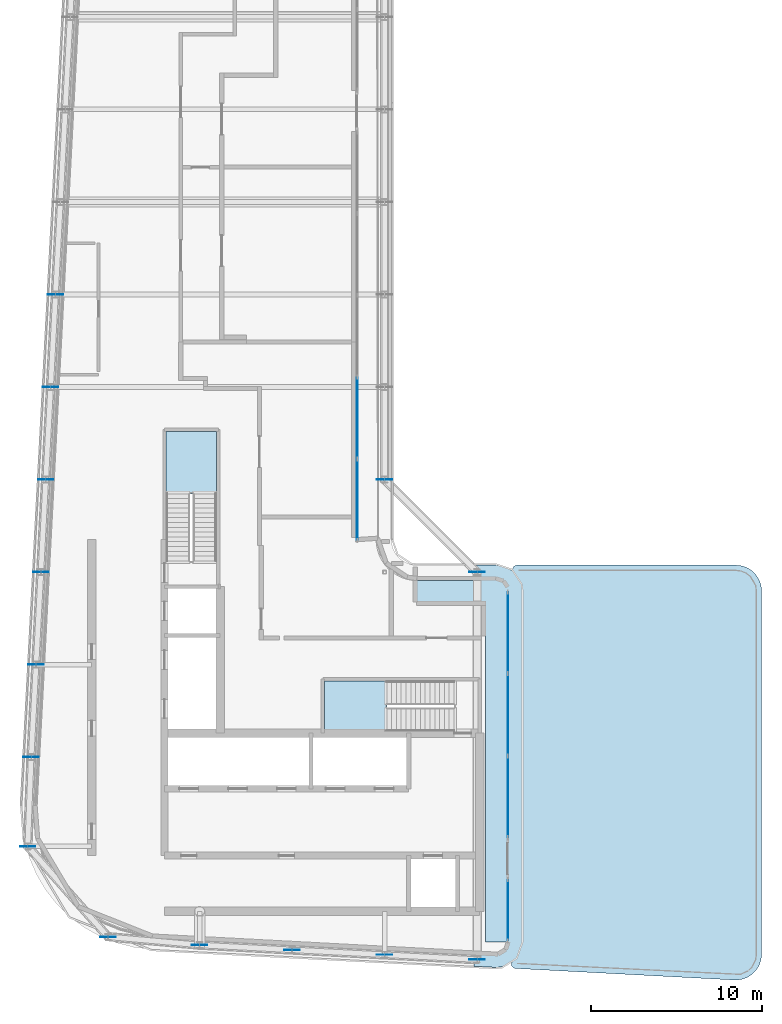
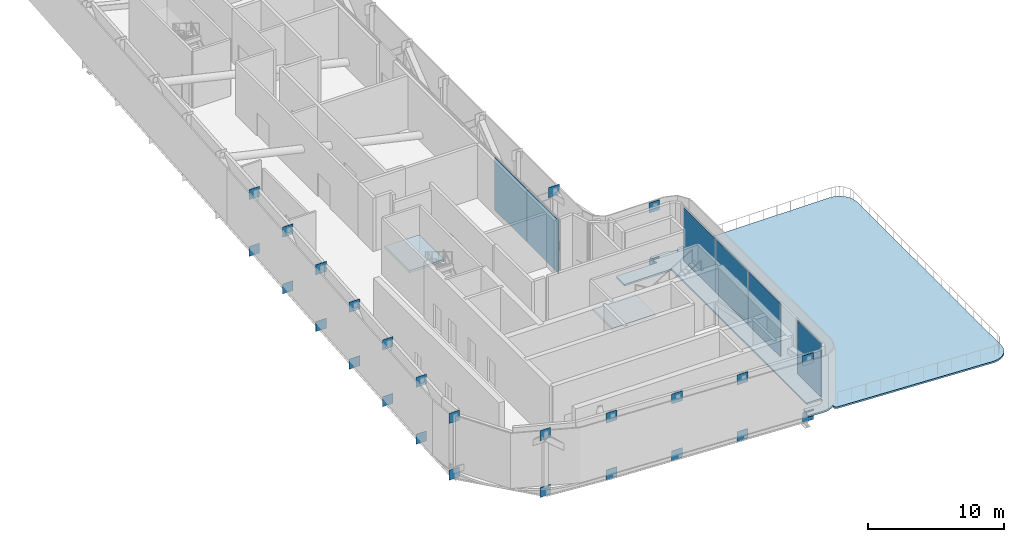
# One storey, part 7 of 18: 34 plates, 3 slabs, 5 elements without a shape of their own.
"""IFC4 building model written with IfcOpenShell, lengths in metres."""

from ifc_helpers import new_model, si_unit, direction, frame, origin, origin_2d, place, context, subcontext, project, spatial, polyline, rectangle, outline, extrude, material, layer, layer_set, type_object, element, aggregate, save


model = new_model("IFC4")

# Units and contexts
model_context = context("Model", 3, precision=1e-05, world=origin(), true_north=direction((0.0, 1.0)))
body_context = subcontext(model_context, "Body", "Model", "MODEL_VIEW")
ifc_project = project(units=[si_unit("LENGTHUNIT", "METRE"), si_unit("AREAUNIT", "SQUARE_METRE"), si_unit("VOLUMEUNIT", "CUBIC_METRE"), si_unit("PLANEANGLEUNIT", "RADIAN"), si_unit("MASSUNIT", "GRAM", prefix="KILO")], contexts=[model_context])

# Site, building, storey
site_placement = place(None, origin())
site = spatial("IfcSite", under=ifc_project, at=site_placement, CompositionType="ELEMENT")
building_placement = place(site_placement, origin())
building = spatial("IfcBuilding", under=site, at=building_placement, Name="Kheshtan School and Residences Tower", CompositionType="ELEMENT")
storey_placement = place(building_placement, frame((0.0, 0.0, 333.199951171875)))
storey = spatial("IfcBuildingStorey", under=building, at=storey_placement, Name="L78", CompositionType="ELEMENT", Elevation=333.199951171875)

# Curtain wall, plates
ifc_material_1 = material(Name="Clear low-e glass in thermally broken aluminium frame", Category="aluminium")
ifc_layer_1 = layer(ifc_material_1, 0.25)
ifc_layer_set_1 = layer_set([ifc_layer_1], Name="Curtain wall CW-G")
curtain_wall_type = type_object("IfcCurtainWallType", Name="Curtain wall CW-G", PredefinedType="NOTDEFINED", material=ifc_layer_set_1)
curtain_wall_1_placement = place(storey_placement, origin())
curtain_wall_1 = element("IfcCurtainWall", 1, at=curtain_wall_1_placement, inside=storey, type_object=curtain_wall_type, Name="Curtain wall CWG3b", PredefinedType="NOTDEFINED")
ifc_layer_2 = layer(ifc_material_1, 0.0380859375)
ifc_layer_set_2 = layer_set([ifc_layer_2], Name="CW-G glass panel")
plate_type_1 = type_object("IfcPlateType", Name="CW-G glass panel", PredefinedType="CURTAIN_PANEL", material=ifc_layer_set_2)
plate_1_placement = place(storey_placement, frame((54.800048828125, 42.054931640625, 0.0), z_axis=(0.0, 0.0, 1.0), x_axis=(0.0, -1.0, 0.0)))
plate_1 = element("IfcPlate", 2, at=plate_1_placement, type_object=plate_type_1, Name="CWG3b panel 1.1", PredefinedType="CURTAIN_PANEL", context=body_context, shape_type="SweptSolid", body=[
    extrude(rectangle(XDim=4.7099609375, YDim=0.0380859375, at=origin_2d()), origin(), (0.0, 0.0, 1.0), 4.7900390625),
])
plate_2_placement = place(storey_placement, frame((54.800048828125, 37.27001953125, 0.0), z_axis=(0.0, 0.0, 1.0), x_axis=(0.0, -1.0, 0.0)))
plate_2 = element("IfcPlate", 3, at=plate_2_placement, type_object=plate_type_1, Name="CWG3b panel 2.1", PredefinedType="CURTAIN_PANEL", context=body_context, shape_type="SweptSolid", body=[
    extrude(rectangle(XDim=4.739990234375, YDim=0.0380859375, at=origin_2d()), origin(), (0.0, 0.0, 1.0), 4.7900390625),
])
plate_3_placement = place(storey_placement, frame((54.800048828125, 32.485107421875, 0.0), z_axis=(0.0, 0.0, 1.0), x_axis=(0.0, -1.0, 0.0)))
plate_3 = element("IfcPlate", 4, at=plate_3_placement, type_object=plate_type_1, Name="CWG3b panel 3.1", PredefinedType="CURTAIN_PANEL", context=body_context, shape_type="SweptSolid", body=[
    extrude(rectangle(XDim=4.7099609375, YDim=0.0380859375, at=origin_2d()), origin(), (0.0, 0.0, 1.0), 4.7900390625),
])
aggregate(curtain_wall_1, [plate_1, plate_2, plate_3])

# Curtain wall, plate
curtain_wall_2_placement = place(storey_placement, origin())
curtain_wall_2 = element("IfcCurtainWall", 5, at=curtain_wall_2_placement, inside=storey, type_object=curtain_wall_type, Name="Curtain wall CWG3c", PredefinedType="NOTDEFINED")
plate_4_placement = place(storey_placement, frame((54.800048828125, 25.862060546875, 0.0), z_axis=(0.0, 0.0, 1.0), x_axis=(0.0, -1.0, 0.0)))
plate_4 = element("IfcPlate", 6, at=plate_4_placement, type_object=plate_type_1, Name="CWG3c panel 1.1", PredefinedType="CURTAIN_PANEL", context=body_context, shape_type="SweptSolid", body=[
    extrude(rectangle(XDim=3.49609375, YDim=0.0380859375, at=origin_2d()), origin(), (0.0, 0.0, 1.0), 4.7900390625),
])
aggregate(curtain_wall_2, [plate_4])

# Curtain wall, plates
curtain_wall_3_placement = place(storey_placement, origin())
curtain_wall_3 = element("IfcCurtainWall", 7, at=curtain_wall_3_placement, inside=storey, type_object=curtain_wall_type, Name="Curtain wall CWG19a", PredefinedType="NOTDEFINED")
ifc_material_2 = material(Name="Insulated terracotta infill panel", Category="masonry")
ifc_layer_3 = layer(ifc_material_2, 0.0380859375)
ifc_layer_set_3 = layer_set([ifc_layer_3], Name="CW-G insulated infill panel")
plate_type_2 = type_object("IfcPlateType", Name="CW-G insulated infill panel", PredefinedType="CURTAIN_PANEL", material=ifc_layer_set_3)
plate_5_placement = place(storey_placement, frame((46.0, 54.591064453125, 0.0), z_axis=(0.0, 0.0, 1.0), x_axis=(0.0, -1.0, 0.0)))
plate_5 = element("IfcPlate", 8, at=plate_5_placement, type_object=plate_type_2, Name="CWG19a infill 4.1", PredefinedType="CURTAIN_PANEL", context=body_context, shape_type="SweptSolid", body=[
    extrude(rectangle(XDim=4.714111328125, YDim=0.0380859375, at=origin_2d()), origin(), (0.0, 0.0, 1.0), 4.7900390625),
])
plate_6_placement = place(storey_placement, frame((46.0, 49.83203125, 0.0), z_axis=(0.0, 0.0, 1.0), x_axis=(0.0, -1.0, 0.0)))
plate_6 = element("IfcPlate", 9, at=plate_6_placement, type_object=plate_type_2, Name="CWG19a infill 5.1", PredefinedType="CURTAIN_PANEL", context=body_context, shape_type="SweptSolid", body=[
    extrude(rectangle(XDim=4.68408203125, YDim=0.0380859375, at=origin_2d()), origin(), (0.0, 0.0, 1.0), 4.7900390625),
])
aggregate(curtain_wall_3, [plate_5, plate_6])

# Plates
ifc_material_3 = material(Name="Steel ASTM A992 Grade 50", Category="steel")
ifc_layer_4 = layer(ifc_material_3, 0.02490234375)
ifc_layer_set_4 = layer_set([ifc_layer_4], Name="Gusset plate 25 Steel ASTM A992 Grade 50")
plate_type_3 = type_object("IfcPlateType", Name="Gusset plate 25 Steel ASTM A992 Grade 50", PredefinedType="SHEET", material=ifc_layer_set_4)
for number, where, z_axis, x_axis, name in (
    (10, (47.60009765625, 51.0, 4.300048828125), (0.0, 0.0, 1.0), (1.0, 0.0, 0.0), "Gusset plate 14"),
    (11, (47.60009765625, 51.0, -0.7998046875), (0.0, 0.0, 1.0), (1.0, 0.0, 0.0), "Gusset plate 15"),
    (12, (53.0, 45.60009765625, 4.300048828125), (0.0, 0.0, 1.0), (1.0, 0.0, 0.0), "Gusset plate 16"),
    (13, (53.0, 45.60009765625, -0.7998046875), (0.0, 0.0, 1.0), (1.0, 0.0, 0.0), "Gusset plate 17"),
    (14, (53.0, 22.97998046875, 4.300048828125), (0.0, 0.0, 1.0), (1.0, 0.0, 0.0), "Gusset plate 18"),
    (15, (53.0, 22.97998046875, -0.7998046875), (0.0, 0.0, 1.0), (1.0, 0.0, 0.0), "Gusset plate 19"),
    (16, (47.60009765625, 23.263916015625, 4.300048828125), (0.0, 0.0, 1.0), (1.0, 0.0, 0.0), "Gusset plate 20"),
    (17, (47.60009765625, 23.263916015625, -0.7998046875), (0.0, 0.0, 1.0), (1.0, 0.0, 0.0), "Gusset plate 21"),
    (18, (42.199951171875, 23.548095703125, 4.300048828125), (0.0, 0.0, 1.0), (1.0, 0.0, 0.0), "Gusset plate 22"),
    (19, (42.199951171875, 23.548095703125, -0.7998046875), (0.0, 0.0, 1.0), (1.0, 0.0, 0.0), "Gusset plate 23"),
    (20, (36.800048828125, 23.83203125, 4.300048828125), (0.0, 0.0, 1.0), (1.0, 0.0, 0.0), "Gusset plate 24"),
    (21, (36.800048828125, 23.83203125, -0.7998046875), (0.0, 0.0, 1.0), (1.0, 0.0, 0.0), "Gusset plate 25"),
    (22, (31.447021484375, 24.31005859375, 4.300048828125), (0.0, 0.0, 1.0), (1.0, 0.0, 0.0), "Gusset plate 26"),
    (23, (31.447021484375, 24.31005859375, -0.7998046875), (0.0, 0.0, 1.0), (1.0, 0.0, 0.0), "Gusset plate 27"),
    (24, (26.76708984375, 29.58203125, 4.300048828125), (0.0, 0.0, 1.0), (1.0, 0.0, 0.0), "Gusset plate 28"),
    (25, (26.76708984375, 29.58203125, -0.7998046875), (0.0, 0.0, 1.0), (1.0, 0.0, 0.0), "Gusset plate 29"),
    (26, (26.968994140625, 34.800048828125, 4.300048828125), (0.0, 0.0, 1.0), (1.0, 0.0, 0.0), "Gusset plate 30"),
    (27, (26.968994140625, 34.800048828125, -0.7998046875), (0.0, 0.0, 1.0), (1.0, 0.0, 0.0), "Gusset plate 31"),
    (28, (27.2529296875, 40.199951171875, 4.300048828125), (0.0, 0.0, 1.0), (1.0, 0.0, 0.0), "Gusset plate 32"),
    (29, (27.2529296875, 40.199951171875, -0.7998046875), (0.0, 0.0, 1.0), (1.0, 0.0, 0.0), "Gusset plate 33"),
    (30, (27.537109375, 45.60009765625, 4.300048828125), (0.0, 0.0, 1.0), (1.0, 0.0, 0.0), "Gusset plate 34"),
    (31, (27.537109375, 45.60009765625, -0.7998046875), (0.0, 0.0, 1.0), (1.0, 0.0, 0.0), "Gusset plate 35"),
    (32, (27.822021484375, 51.0, 4.300048828125), (0.0, 0.0, 1.0), (1.0, 0.0, 0.0), "Gusset plate 36"),
    (33, (27.822021484375, 51.0, -0.7998046875), (0.0, 0.0, 1.0), (1.0, 0.0, 0.0), "Gusset plate 37"),
    (34, (28.10595703125, 56.39990234375, 4.300048828125), (0.0, 0.0, 1.0), (1.0, 0.0, 0.0), "Gusset plate 38"),
    (35, (28.10595703125, 56.39990234375, -0.7998046875), (0.0, 0.0, 1.0), (1.0, 0.0, 0.0), "Gusset plate 39"),
    (36, (28.389892578125, 61.800048828125, 4.300048828125), (0.0, 0.0, 1.0), (1.0, 0.0, 0.0), "Gusset plate 40"),
    (37, (28.389892578125, 61.800048828125, -0.7998046875), (0.0, 0.0, 1.0), (1.0, 0.0, 0.0), "Gusset plate 41"),
):
    element("IfcPlate", number, at=place(storey_placement, frame(where, z_axis=z_axis, x_axis=x_axis)), inside=storey, type_object=plate_type_3, Name=name, PredefinedType="SHEET", context=body_context, shape_type="SweptSolid", body=[
        extrude(rectangle(XDim=0.89990234375, YDim=0.02490234375, at=origin_2d()), origin(), (0.0, 0.0, 1.0), 0.89990234375),
    ])

# Stair, slab
ifc_material_4 = material(Name="Concrete C40/50", Category="concrete")
stair_type = type_object("IfcStairType", Name="Exit stair, half-turn", PredefinedType="HALF_TURN_STAIR", material=ifc_material_4)
stair_1_placement = place(storey_placement, origin())
stair_1 = element("IfcStair", 38, at=stair_1_placement, inside=storey, type_object=stair_type, Name="L78 Protected Exit Stair ST1", PredefinedType="HALF_TURN_STAIR")
ifc_layer_5 = layer(ifc_material_4, 0.199951171875)
ifc_layer_set_5 = layer_set([ifc_layer_5], Name="Stair landing 200 Concrete C40/50")
slab_type_1 = type_object("IfcSlabType", Name="Stair landing 200 Concrete C40/50", PredefinedType="LANDING", material=ifc_layer_set_5)
slab_1_placement = place(storey_placement, frame((0.0, 0.0, 2.35009765625)))
slab_1 = element("IfcSlab", 39, at=slab_1_placement, type_object=slab_type_1, Name="ST1 landing 1", PredefinedType="LANDING", context=body_context, shape_type="SweptSolid", body=[
    extrude(outline(polyline([(47.72998046875, 39.25), (44.090087890625, 39.25), (44.090087890625, 36.300048828125), (47.72998046875, 36.300048828125), (47.72998046875, 39.25)])), origin(), (0.0, 0.0, 1.0), 0.199951171875),
])
aggregate(stair_1, [slab_1])

stair_2_placement = place(storey_placement, origin())
stair_2 = element("IfcStair", 40, at=stair_2_placement, inside=storey, type_object=stair_type, Name="L78 Protected Exit Stair ST2", PredefinedType="HALF_TURN_STAIR")
slab_2_placement = place(storey_placement, frame((0.0, 0.0, 2.35009765625)))
slab_2 = element("IfcSlab", 41, at=slab_2_placement, type_object=slab_type_1, Name="ST2 landing 1", PredefinedType="LANDING", context=body_context, shape_type="SweptSolid", body=[
    extrude(outline(polyline([(37.800048828125, 50.169921875), (37.800048828125, 53.81005859375), (34.85009765625, 53.81005859375), (34.85009765625, 50.169921875), (37.800048828125, 50.169921875)])), origin(), (0.0, 0.0, 1.0), 0.199951171875),
])
aggregate(stair_2, [slab_2])

# Slab
ifc_layer_6 = layer(ifc_material_4, 0.14990234375)
ifc_layer_set_6 = layer_set([ifc_layer_6], Name="Terrace slab 150 Concrete C40/50")
slab_type_2 = type_object("IfcSlabType", Name="Terrace slab 150 Concrete C40/50", PredefinedType="FLOOR", material=ifc_layer_set_6)
slab_3_placement = place(storey_placement, frame((0.0, 0.0, -0.14990234375)))
element("IfcSlab", 42, at=slab_3_placement, inside=storey, type_object=slab_type_2, Name="Terrace slab L78", PredefinedType="FLOOR", context=body_context, shape_type="SweptSolid", body=[
    extrude(outline(polyline([(49.47998046875, 43.923095703125), (49.47998046875, 45.076904296875), (49.47998046875, 45.077880859375), (49.48095703125, 45.077880859375), (49.48095703125, 45.0791015625), (49.48095703125, 45.08203125), (49.48095703125, 45.0830078125), (49.48193359375, 45.0830078125), (49.48193359375, 45.083984375), (49.48193359375, 45.0859375), (49.48193359375, 45.0869140625), (49.48291015625, 45.0869140625), (49.48291015625, 45.087890625), (49.48291015625, 45.089111328125), (49.48291015625, 45.090087890625), (49.48388671875, 45.090087890625), (49.48388671875, 45.091064453125), (49.485107421875, 45.091064453125), (49.485107421875, 45.092041015625), (49.486083984375, 45.092041015625), (49.486083984375, 45.093017578125), (49.486083984375, 45.093994140625), (49.487060546875, 45.093994140625), (49.487060546875, 45.094970703125), (49.487060546875, 45.095947265625), (49.488037109375, 45.095947265625), (49.488037109375, 45.096923828125), (49.488037109375, 45.097900390625), (49.501953125, 45.112060546875), (49.5029296875, 45.112060546875), (49.50390625, 45.112060546875), (49.50390625, 45.113037109375), (49.5048828125, 45.113037109375), (49.506103515625, 45.113037109375), (49.506103515625, 45.114013671875), (49.507080078125, 45.114013671875), (49.508056640625, 45.114013671875), (49.508056640625, 45.114990234375), (49.509033203125, 45.114990234375), (49.509033203125, 45.115966796875), (49.510009765625, 45.115966796875), (49.510986328125, 45.115966796875), (49.510986328125, 45.116943359375), (49.511962890625, 45.116943359375), (49.512939453125, 45.116943359375), (49.512939453125, 45.117919921875), (49.513916015625, 45.117919921875), (49.51611328125, 45.117919921875), (49.51708984375, 45.117919921875), (49.51708984375, 45.118896484375), (49.51806640625, 45.118896484375), (49.52099609375, 45.118896484375), (49.52197265625, 45.118896484375), (49.52197265625, 45.1201171875), (49.52294921875, 45.1201171875), (52.955078125, 45.1201171875), (52.9560546875, 45.1201171875), (52.9560546875, 45.12109375), (52.95703125, 45.12109375), (52.95703125, 45.1220703125), (52.95703125, 45.1240234375), (52.95703125, 45.125), (52.950927734375, 45.138916015625), (52.950927734375, 45.14306640625), (52.945068359375, 45.1669921875), (52.908935546875, 45.339111328125), (52.905029296875, 45.363037109375), (52.876953125, 45.636962890625), (52.8759765625, 45.662109375), (52.8759765625, 45.837890625), (52.876953125, 45.863037109375), (52.89111328125, 45.9990234375), (52.89111328125, 46.0), (52.89208984375, 46.0), (54.10009765625, 46.0), (54.2958984375, 45.987060546875), (54.488037109375, 45.948974609375), (54.491943359375, 45.948974609375), (54.674072265625, 45.885986328125), (54.843994140625, 45.801025390625), (54.844970703125, 45.801025390625), (54.845947265625, 45.801025390625), (54.846923828125, 45.801025390625), (54.846923828125, 45.802001953125), (54.847900390625, 45.802001953125), (54.847900390625, 45.802978515625), (54.84912109375, 45.802978515625), (54.85107421875, 45.802978515625), (54.85205078125, 45.802978515625), (54.85205078125, 45.802001953125), (54.85302734375, 45.802001953125), (54.85400390625, 45.802001953125), (54.85498046875, 45.802001953125), (54.85498046875, 45.801025390625), (54.85595703125, 45.801025390625), (54.85595703125, 45.800048828125), (54.85693359375, 45.800048828125), (54.85693359375, 45.799072265625), (55.012939453125, 45.695068359375), (55.013916015625, 45.695068359375), (55.013916015625, 45.694091796875), (55.014892578125, 45.694091796875), (55.014892578125, 45.693115234375), (55.014892578125, 45.68896484375), (55.014892578125, 45.68798828125), (55.01611328125, 45.68798828125), (55.01611328125, 45.68701171875), (55.01708984375, 45.68701171875), (55.01708984375, 45.68603515625), (55.123046875, 45.593017578125), (55.1240234375, 45.593017578125), (55.125, 45.593017578125), (55.1259765625, 45.593017578125), (55.1259765625, 45.593994140625), (55.126953125, 45.593994140625), (55.126953125, 45.594970703125), (55.126953125, 45.595947265625), (55.126953125, 45.596923828125), (55.115966796875, 45.611083984375), (55.10400390625, 45.632080078125), (55.093017578125, 45.654052734375), (55.0849609375, 45.673095703125), (55.0849609375, 45.677001953125), (55.0791015625, 45.700927734375), (55.074951171875, 45.72509765625), (55.073974609375, 45.75), (55.074951171875, 45.77490234375), (55.0791015625, 45.799072265625), (55.0849609375, 45.822998046875), (55.0849609375, 45.826904296875), (55.093017578125, 45.845947265625), (55.10400390625, 45.867919921875), (55.115966796875, 45.888916015625), (55.126953125, 45.905029296875), (55.1279296875, 45.905029296875), (55.1279296875, 45.906005859375), (55.12890625, 45.906005859375), (55.12890625, 45.906982421875), (55.1298828125, 45.906982421875), (55.1298828125, 45.907958984375), (55.131103515625, 45.907958984375), (55.131103515625, 45.908935546875), (55.131103515625, 45.909912109375), (55.131103515625, 45.910888671875), (55.1630859375, 45.943115234375), (55.1640625, 45.943115234375), (55.1650390625, 45.943115234375), (55.166015625, 45.943115234375), (55.166015625, 45.944091796875), (55.1669921875, 45.944091796875), (55.1669921875, 45.945068359375), (55.16796875, 45.945068359375), (55.16796875, 45.946044921875), (55.1689453125, 45.946044921875), (55.1689453125, 45.947021484375), (55.18505859375, 45.9580078125), (55.2060546875, 45.969970703125), (55.22802734375, 45.98095703125), (55.2470703125, 45.989013671875), (55.2509765625, 45.989013671875), (55.27490234375, 45.9951171875), (55.299072265625, 45.9990234375), (55.323974609375, 46.0), (68.092041015625, 46.0), (68.10791015625, 45.9990234375), (68.279052734375, 45.988037109375), (68.31201171875, 45.98388671875), (68.471923828125, 45.951904296875), (68.5029296875, 45.944091796875), (68.507080078125, 45.944091796875), (68.657958984375, 45.89208984375), (68.68896484375, 45.87890625), (68.8359375, 45.805908203125), (68.864013671875, 45.7900390625), (69.0, 45.698974609375), (69.02490234375, 45.679931640625), (69.14404296875, 45.576904296875), (69.14404296875, 45.575927734375), (69.14501953125, 45.575927734375), (69.14501953125, 45.574951171875), (69.14599609375, 45.574951171875), (69.14599609375, 45.573974609375), (69.14697265625, 45.573974609375), (69.14697265625, 45.572998046875), (69.14794921875, 45.572998046875), (69.14892578125, 45.572998046875), (69.14990234375, 45.572998046875), (69.15087890625, 45.572998046875), (69.173095703125, 45.551025390625), (69.173095703125, 45.550048828125), (69.173095703125, 45.549072265625), (69.173095703125, 45.548095703125), (69.173095703125, 45.547119140625), (69.174072265625, 45.547119140625), (69.174072265625, 45.5458984375), (69.175048828125, 45.5458984375), (69.175048828125, 45.544921875), (69.176025390625, 45.544921875), (69.176025390625, 45.5439453125), (69.177001953125, 45.5439453125), (69.280029296875, 45.425048828125), (69.299072265625, 45.39990234375), (69.389892578125, 45.263916015625), (69.406005859375, 45.236083984375), (69.47900390625, 45.089111328125), (69.491943359375, 45.05810546875), (69.5439453125, 44.906982421875), (69.5439453125, 44.903076171875), (69.552001953125, 44.8720703125), (69.583984375, 44.7119140625), (69.587890625, 44.678955078125), (69.59912109375, 44.508056640625), (69.60009765625, 44.491943359375), (69.60009765625, 23.294921875), (69.59912109375, 23.278076171875), (69.5869140625, 23.10107421875), (69.5830078125, 23.068115234375), (69.549072265625, 22.902099609375), (69.549072265625, 22.89794921875), (69.5400390625, 22.868896484375), (69.48388671875, 22.7099609375), (69.469970703125, 22.678955078125), (69.39306640625, 22.529052734375), (69.376953125, 22.5009765625), (69.281005859375, 22.362060546875), (69.261962890625, 22.337890625), (69.260986328125, 22.337890625), (69.260986328125, 22.3369140625), (69.260009765625, 22.3369140625), (69.260009765625, 22.3359375), (69.259033203125, 22.3359375), (69.259033203125, 22.3349609375), (69.258056640625, 22.3349609375), (69.258056640625, 22.333984375), (69.258056640625, 22.3330078125), (69.258056640625, 22.33203125), (69.258056640625, 22.3310546875), (69.14306640625, 22.2099609375), (69.12109375, 22.18798828125), (69.1201171875, 22.18798828125), (69.118896484375, 22.18798828125), (69.118896484375, 22.18701171875), (69.117919921875, 22.18701171875), (69.117919921875, 22.18603515625), (69.116943359375, 22.18603515625), (69.116943359375, 22.18505859375), (69.115966796875, 22.18505859375), (69.115966796875, 22.18408203125), (68.989990234375, 22.080078125), (68.9609375, 22.05908203125), (68.81689453125, 21.969970703125), (68.7880859375, 21.955078125), (68.634033203125, 21.885986328125), (68.60205078125, 21.8740234375), (68.444091796875, 21.826904296875), (68.43994140625, 21.826904296875), (68.407958984375, 21.820068359375), (68.240966796875, 21.7939453125), (68.20703125, 21.791015625), (68.030029296875, 21.7880859375), (68.012939453125, 21.7880859375), (55.239990234375, 22.4609375), (55.215087890625, 22.464111328125), (55.18994140625, 22.468994140625), (55.18603515625, 22.468994140625), (55.1669921875, 22.47607421875), (55.14306640625, 22.486083984375), (55.1220703125, 22.498046875), (55.10107421875, 22.512939453125), (55.0859375, 22.52490234375), (55.0859375, 22.52587890625), (55.0849609375, 22.52587890625), (55.0849609375, 22.527099609375), (55.083984375, 22.527099609375), (55.083984375, 22.528076171875), (55.0830078125, 22.528076171875), (55.0830078125, 22.529052734375), (55.0830078125, 22.530029296875), (55.08203125, 22.530029296875), (55.06494140625, 22.547119140625), (55.06494140625, 22.548095703125), (55.06396484375, 22.548095703125), (55.06298828125, 22.548095703125), (55.06298828125, 22.549072265625), (55.06201171875, 22.549072265625), (55.06201171875, 22.550048828125), (55.06103515625, 22.550048828125), (55.06103515625, 22.551025390625), (55.06005859375, 22.551025390625), (55.049072265625, 22.56591796875), (55.035888671875, 22.587890625), (55.02392578125, 22.610107421875), (55.014892578125, 22.62890625), (55.014892578125, 22.633056640625), (55.009033203125, 22.657958984375), (55.0048828125, 22.681884765625), (55.0029296875, 22.70703125), (55.00390625, 22.73193359375), (55.007080078125, 22.757080078125), (55.012939453125, 22.781005859375), (55.012939453125, 22.784912109375), (55.02099609375, 22.804931640625), (55.031982421875, 22.827880859375), (55.044921875, 22.84912109375), (55.06005859375, 22.868896484375), (55.06005859375, 22.8701171875), (55.06005859375, 22.87109375), (55.05908203125, 22.87109375), (55.05908203125, 22.8720703125), (55.05810546875, 22.8720703125), (55.056884765625, 22.8720703125), (54.97607421875, 22.805908203125), (54.803955078125, 22.698974609375), (54.618896484375, 22.615966796875), (54.427978515625, 22.55908203125), (54.424072265625, 22.55908203125), (54.22412109375, 22.528076171875), (54.02099609375, 22.52490234375), (52.81005859375, 22.589111328125), (52.80908203125, 22.589111328125), (52.80908203125, 22.590087890625), (52.804931640625, 22.794921875), (52.805908203125, 22.820068359375), (52.820068359375, 22.993896484375), (52.822998046875, 23.01904296875), (52.873046875, 23.291015625), (52.87890625, 23.31494140625), (52.87890625, 23.319091796875), (52.926025390625, 23.47705078125), (52.927978515625, 23.47998046875), (52.927978515625, 23.48095703125), (52.927978515625, 23.48193359375), (52.927978515625, 23.48291015625), (52.928955078125, 23.48291015625), (54.0380859375, 23.425048828125), (54.14794921875, 23.427001953125), (54.22802734375, 23.43896484375), (54.23095703125, 23.43896484375), (54.23193359375, 23.43896484375), (54.306884765625, 23.4619140625), (54.381103515625, 23.4951171875), (54.448974609375, 23.5380859375), (54.509033203125, 23.5859375), (54.509033203125, 23.5869140625), (54.510009765625, 23.5869140625), (54.510009765625, 23.587890625), (54.510986328125, 23.587890625), (54.510986328125, 23.589111328125), (54.511962890625, 23.589111328125), (54.511962890625, 23.590087890625), (54.511962890625, 23.591064453125), (54.511962890625, 23.592041015625), (54.511962890625, 23.593017578125), (54.56689453125, 23.64990234375), (54.568115234375, 23.64990234375), (54.568115234375, 23.65087890625), (54.569091796875, 23.65087890625), (54.569091796875, 23.652099609375), (54.570068359375, 23.652099609375), (54.570068359375, 23.653076171875), (54.571044921875, 23.653076171875), (54.612060546875, 23.712890625), (54.64892578125, 23.784912109375), (54.676025390625, 23.860107421875), (54.676025390625, 23.861083984375), (54.676025390625, 23.864013671875), (54.69189453125, 23.943115234375), (54.697021484375, 24.007080078125), (54.697021484375, 24.008056640625), (54.696044921875, 24.008056640625), (54.696044921875, 24.009033203125), (54.695068359375, 24.009033203125), (54.693115234375, 24.009033203125), (54.69189453125, 24.009033203125), (54.69189453125, 24.008056640625), (54.69091796875, 24.008056640625), (54.69091796875, 24.007080078125), (54.68994140625, 24.007080078125), (54.68896484375, 24.007080078125), (54.68896484375, 24.006103515625), (54.68798828125, 24.006103515625), (54.68701171875, 24.006103515625), (54.68701171875, 24.0048828125), (54.68603515625, 24.0048828125), (54.68408203125, 24.0048828125), (54.68310546875, 24.0048828125), (54.68310546875, 24.00390625), (54.681884765625, 24.00390625), (54.678955078125, 24.00390625), (54.677978515625, 24.00390625), (54.677978515625, 24.0029296875), (54.677001953125, 24.0029296875), (53.52294921875, 24.0029296875), (53.52197265625, 24.0029296875), (53.52197265625, 24.00390625), (53.52099609375, 24.00390625), (53.51806640625, 24.00390625), (53.51708984375, 24.00390625), (53.51708984375, 24.0048828125), (53.51611328125, 24.0048828125), (53.510986328125, 24.0048828125), (53.510986328125, 24.006103515625), (53.510009765625, 24.006103515625), (53.510009765625, 24.007080078125), (53.509033203125, 24.007080078125), (53.509033203125, 24.008056640625), (53.508056640625, 24.008056640625), (53.508056640625, 24.009033203125), (53.507080078125, 24.009033203125), (53.506103515625, 24.009033203125), (53.506103515625, 24.010009765625), (53.5048828125, 24.010009765625), (53.50390625, 24.010009765625), (53.50390625, 24.010986328125), (53.5029296875, 24.010986328125), (53.501953125, 24.010986328125), (53.4990234375, 24.013916015625), (53.4970703125, 24.01611328125), (53.492919921875, 24.02001953125), (53.490966796875, 24.02197265625), (53.489990234375, 24.02294921875), (53.488037109375, 24.02490234375), (53.488037109375, 24.02587890625), (53.488037109375, 24.027099609375), (53.487060546875, 24.027099609375), (53.487060546875, 24.028076171875), (53.487060546875, 24.029052734375), (53.486083984375, 24.029052734375), (53.486083984375, 24.030029296875), (53.486083984375, 24.031005859375), (53.485107421875, 24.031005859375), (53.485107421875, 24.031982421875), (53.48388671875, 24.031982421875), (53.48388671875, 24.032958984375), (53.48291015625, 24.032958984375), (53.48291015625, 24.033935546875), (53.48291015625, 24.034912109375), (53.48291015625, 24.035888671875), (53.48193359375, 24.035888671875), (53.48193359375, 24.037109375), (53.48193359375, 24.0390625), (53.48193359375, 24.0400390625), (53.48095703125, 24.0400390625), (53.48095703125, 24.041015625), (53.48095703125, 24.0439453125), (53.48095703125, 24.044921875), (53.47998046875, 24.044921875), (53.47998046875, 24.0458984375), (53.47998046875, 43.85498046875), (53.47998046875, 43.85595703125), (53.47900390625, 43.85595703125), (53.47900390625, 43.85693359375), (53.47900390625, 43.85791015625), (53.47900390625, 43.85888671875), (53.47802734375, 43.85888671875), (53.47802734375, 43.860107421875), (53.47802734375, 43.861083984375), (53.47705078125, 43.861083984375), (53.47705078125, 43.862060546875), (53.47705078125, 43.863037109375), (53.47705078125, 43.864013671875), (53.47607421875, 43.864013671875), (53.47607421875, 43.864990234375), (53.47607421875, 43.865966796875), (53.47509765625, 43.865966796875), (53.47509765625, 43.866943359375), (53.47509765625, 43.867919921875), (53.47412109375, 43.867919921875), (53.47412109375, 43.868896484375), (53.472900390625, 43.868896484375), (53.472900390625, 43.8701171875), (53.471923828125, 43.8701171875), (53.471923828125, 43.87109375), (53.470947265625, 43.87109375), (53.470947265625, 43.8720703125), (53.469970703125, 43.8720703125), (53.469970703125, 43.873046875), (53.468994140625, 43.873046875), (53.468994140625, 43.8740234375), (53.468017578125, 43.8740234375), (53.468017578125, 43.875), (53.467041015625, 43.875), (53.466064453125, 43.875), (53.466064453125, 43.8759765625), (53.465087890625, 43.8759765625), (53.464111328125, 43.8759765625), (53.464111328125, 43.876953125), (53.462890625, 43.876953125), (53.4619140625, 43.876953125), (53.4609375, 43.876953125), (53.4609375, 43.8779296875), (53.4599609375, 43.8779296875), (53.458984375, 43.8779296875), (53.458984375, 43.87890625), (53.4580078125, 43.87890625), (53.45703125, 43.87890625), (53.4560546875, 43.87890625), (53.4560546875, 43.8798828125), (53.455078125, 43.8798828125), (49.52294921875, 43.8798828125), (49.52197265625, 43.8798828125), (49.52197265625, 43.881103515625), (49.52099609375, 43.881103515625), (49.51806640625, 43.881103515625), (49.51708984375, 43.881103515625), (49.51708984375, 43.882080078125), (49.51611328125, 43.882080078125), (49.513916015625, 43.882080078125), (49.512939453125, 43.882080078125), (49.512939453125, 43.883056640625), (49.511962890625, 43.883056640625), (49.510986328125, 43.883056640625), (49.510986328125, 43.884033203125), (49.510009765625, 43.884033203125), (49.509033203125, 43.884033203125), (49.509033203125, 43.885009765625), (49.508056640625, 43.885009765625), (49.508056640625, 43.885986328125), (49.507080078125, 43.885986328125), (49.506103515625, 43.885986328125), (49.506103515625, 43.886962890625), (49.5048828125, 43.886962890625), (49.50390625, 43.886962890625), (49.50390625, 43.887939453125), (49.5029296875, 43.887939453125), (49.501953125, 43.887939453125), (49.488037109375, 43.902099609375), (49.488037109375, 43.903076171875), (49.488037109375, 43.904052734375), (49.487060546875, 43.904052734375), (49.487060546875, 43.905029296875), (49.487060546875, 43.906005859375), (49.486083984375, 43.906005859375), (49.486083984375, 43.906982421875), (49.486083984375, 43.907958984375), (49.485107421875, 43.907958984375), (49.485107421875, 43.908935546875), (49.48388671875, 43.908935546875), (49.48388671875, 43.909912109375), (49.48291015625, 43.909912109375), (49.48291015625, 43.910888671875), (49.48291015625, 43.912109375), (49.48291015625, 43.9130859375), (49.48193359375, 43.9130859375), (49.48193359375, 43.9140625), (49.48193359375, 43.916015625), (49.48193359375, 43.9169921875), (49.48095703125, 43.9169921875), (49.48095703125, 43.91796875), (49.48095703125, 43.9208984375), (49.48095703125, 43.922119140625), (49.47998046875, 43.922119140625), (49.47998046875, 43.923095703125)])), origin(), (0.0, 0.0, 1.0), 0.14990234375),
])

save(model, "model.ifc")
